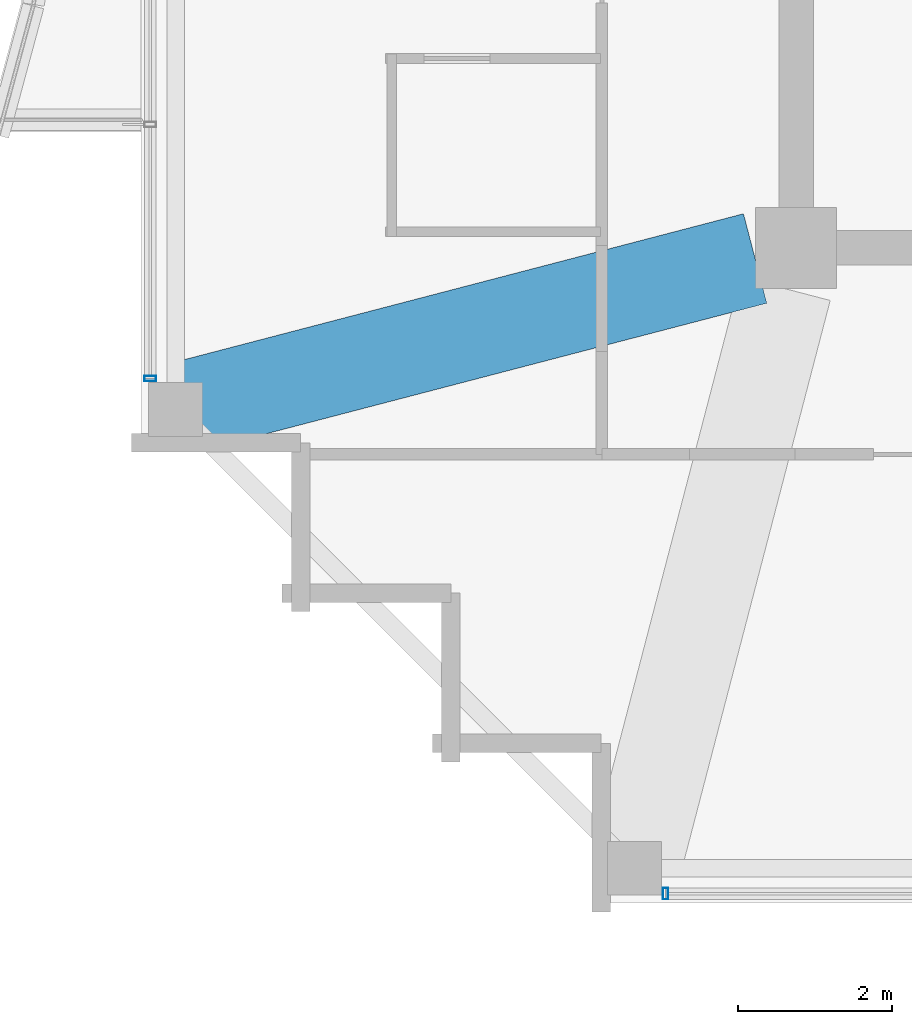
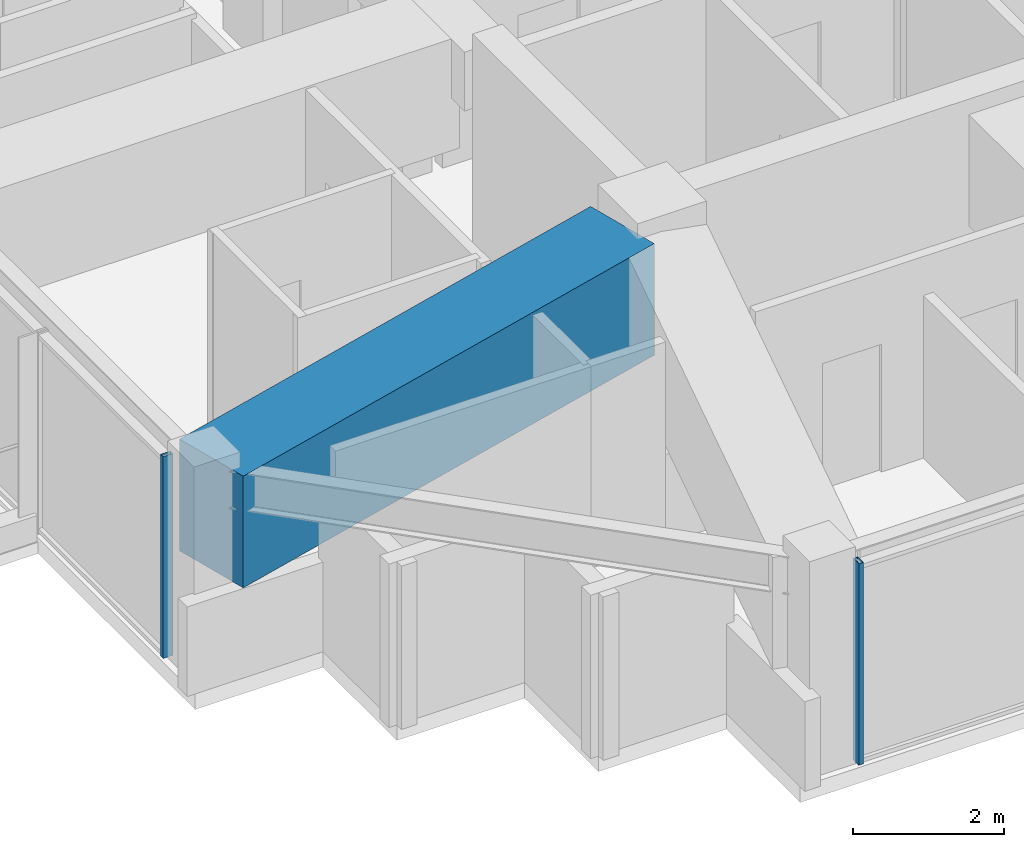
# One storey, part 2 of 31: 2 members, 1 beam, 2 elements without a shape of their own.
"""IFC4 building model written with IfcOpenShell, lengths in metres."""

from ifc_helpers import new_model, si_unit, direction, frame, origin, origin_2d, place, context, subcontext, project, spatial, rectangle, hollow_rectangle, extrude, material, material_profile, profile_set, type_object, element, aggregate, save


model = new_model("IFC4")

# Units and contexts
model_context = context("Model", 3, precision=1e-05, world=origin(), true_north=direction((0.0, 1.0)))
body_context = subcontext(model_context, "Body", "Model", "MODEL_VIEW")
ifc_project = project(units=[si_unit("LENGTHUNIT", "METRE"), si_unit("AREAUNIT", "SQUARE_METRE"), si_unit("VOLUMEUNIT", "CUBIC_METRE"), si_unit("PLANEANGLEUNIT", "RADIAN"), si_unit("MASSUNIT", "GRAM", prefix="KILO")], contexts=[model_context])

# Site, building, storey
site_placement = place(None, origin())
site = spatial("IfcSite", under=ifc_project, at=site_placement, CompositionType="ELEMENT")
building_placement = place(site_placement, origin())
building = spatial("IfcBuilding", under=site, at=building_placement, Name="Kolvaren Belvedere", CompositionType="ELEMENT")
storey_placement = place(building_placement, frame((0.0, 0.0, 237.39990234375)))
storey = spatial("IfcBuildingStorey", under=building, at=storey_placement, Name="L69", CompositionType="ELEMENT", Elevation=237.39990234375)

# Beam
ifc_material_1 = material(Name="Concrete C50/60", Category="concrete")
ifc_material_profile_1 = material_profile(ifc_material_1, rectangle(XDim=1.199951171875, YDim=1.800048828125, at=origin_2d()), Name="RC 1200X1800")
ifc_profile_set_1 = profile_set([ifc_material_profile_1], Name="Concrete C50/60")
beam_type = type_object("IfcBeamType", Name="BM-TG-1800", PredefinedType="BEAM", material=ifc_profile_set_1)
beam_placement = place(storey_placement, frame((-10.43212890625, -10.038818359375, 2.35009765625), z_axis=(-0.967618631679, -0.25241668651, 0.0), x_axis=(0.25241668651, -0.967618631679, 0.0)))
element("IfcBeam", 1, at=beam_placement, inside=storey, type_object=beam_type, Name="L69 Corner Core-to-Perimeter Girder CC1-W1", PredefinedType="BEAM", context=body_context, shape_type="SweptSolid", body=[
    extrude(rectangle(XDim=1.199951171875, YDim=1.800048828125, at=origin_2d()), origin(), (0.0, 0.0, 1.0), 7.62939453125),
])

# Curtain wall, member
ifc_material_2 = material(Name="Anodised pale-metal aluminium AA 6063-T6", Category="aluminium")
curtain_wall_type = type_object("IfcCurtainWallType", Name="CW-Z5-HIGH", PredefinedType="NOTDEFINED", material=ifc_material_2)
curtain_wall_1_placement = place(storey_placement, origin())
curtain_wall_1 = element("IfcCurtainWall", 2, at=curtain_wall_1_placement, inside=storey, type_object=curtain_wall_type, Name="L69 Unitised Curtain Wall FCW-L69-S-B3", PredefinedType="NOTDEFINED")
ifc_material_3 = material(Name="Anodised pale-metal aluminium AA 6063-T6", Category="aluminium")
ifc_material_profile_2 = material_profile(ifc_material_3, hollow_rectangle(XDim=0.070068359375, YDim=0.14990234375, WallThickness=0.004150390625, at=origin_2d()), Name="ALU-MUL-150X70")
ifc_profile_set_2 = profile_set([ifc_material_profile_2], Name="Anodised pale-metal aluminium AA 6063-T6")
member_type = type_object("IfcMemberType", Name="CW-MUL-150", PredefinedType="MULLION", material=ifc_profile_set_2)
member_1_placement = place(storey_placement, frame((-11.594970703125, -18.280029296875, 0.0), z_axis=(0.0, 0.0, 1.0), x_axis=(1.0, 0.0, 0.0)))
member_1 = element("IfcMember", 3, at=member_1_placement, type_object=member_type, Name="FCW-L69-S-B3 Unitised Mullion 3", PredefinedType="MULLION", context=body_context, shape_type="SweptSolid", body=[
    extrude(hollow_rectangle(XDim=0.070068359375, YDim=0.14990234375, WallThickness=0.004150390625, at=origin_2d()), origin(), (0.0, 0.0, 1.0), 3.25),
])
aggregate(curtain_wall_1, [member_1])

curtain_wall_2_placement = place(storey_placement, origin())
curtain_wall_2 = element("IfcCurtainWall", 4, at=curtain_wall_2_placement, inside=storey, type_object=curtain_wall_type, Name="L69 Unitised Curtain Wall FCW-L69-W1-B1", PredefinedType="NOTDEFINED")
member_2_placement = place(storey_placement, frame((-18.280029296875, -11.594970703125, 0.0), z_axis=(0.0, 0.0, 1.0), x_axis=(0.0, 1.0, 0.0)))
member_2 = element("IfcMember", 5, at=member_2_placement, type_object=member_type, Name="FCW-L69-W1-B1 Unitised Mullion 1", PredefinedType="MULLION", context=body_context, shape_type="SweptSolid", body=[
    extrude(hollow_rectangle(XDim=0.070068359375, YDim=0.14990234375, WallThickness=0.004150390625, at=origin_2d()), origin(), (0.0, 0.0, 1.0), 3.25),
])
aggregate(curtain_wall_2, [member_2])

save(model, "model.ifc")
